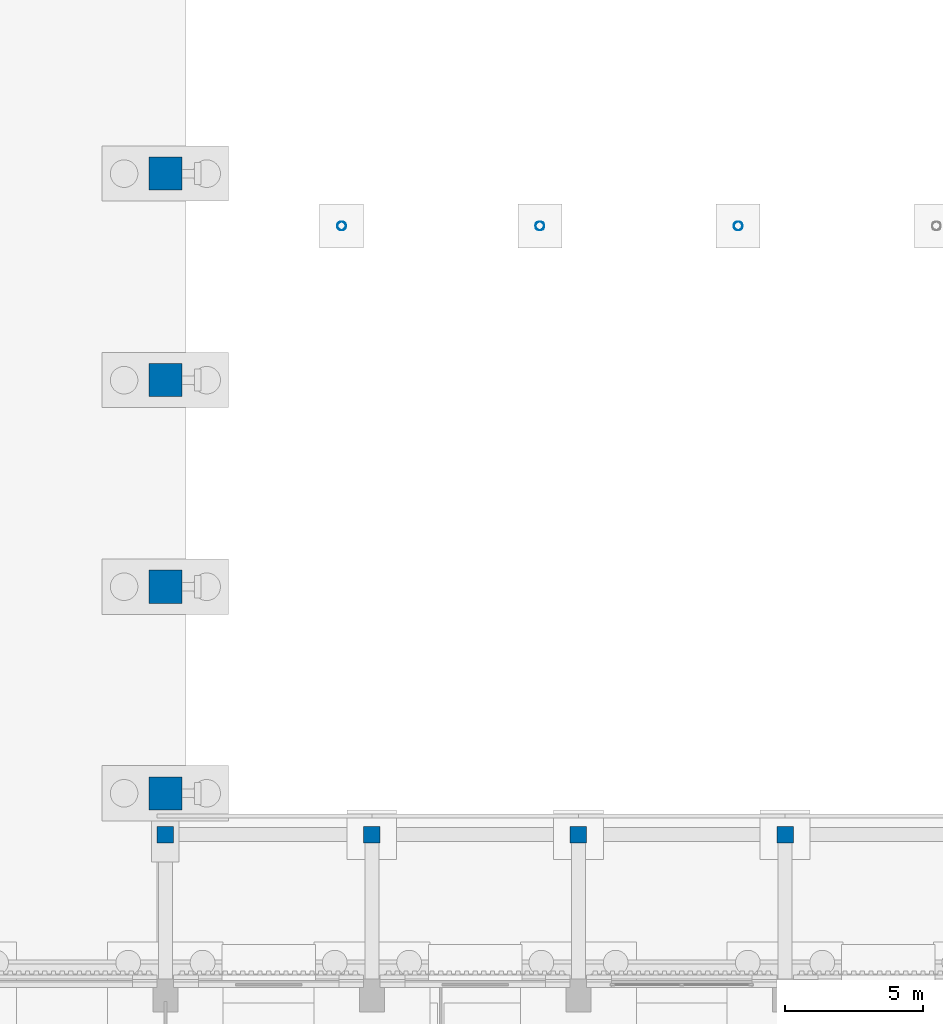
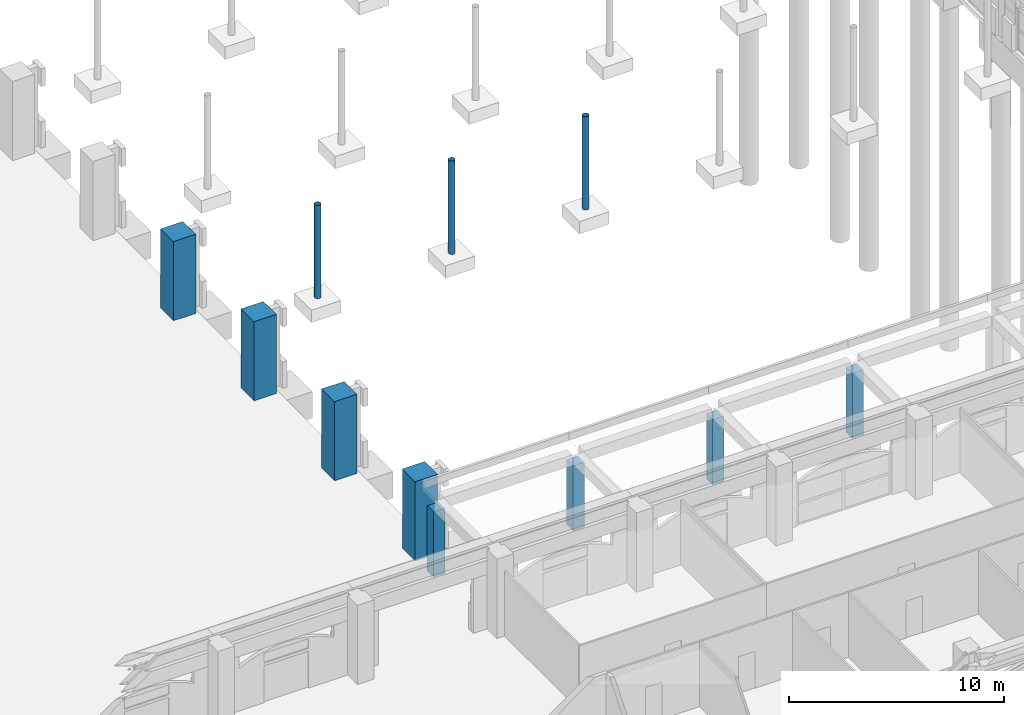
# One storey, part 12 of 99: 11 columns.
"""IFC4 building model written with IfcOpenShell, lengths in metres."""

import ifcopenshell
import ifcopenshell.guid

model = None  # the IFC model being written
_history = None  # IfcOwnerHistory: only IFC2X3 demands one
_inside = {}  # id of a spatial element -> (the spatial element, [elements in it])
_under = {}  # id of a project, library or spatial element -> (it, [spatial elements below it])
_declared = {}  # id of a project -> (the project, [libraries it declares])
_typed = {}  # id of a type object -> (the type object, [elements of that type])
_made_of = {}  # id of a material, layer set ... -> (it, [elements and type objects made of it])


def new_model(schema):
    """Start an empty IFC model of exactly this schema.

    Asked for "IFC4X3", IfcOpenShell would pick the latest addendum, in which some entities
    have other attributes; the version numbers below select the first issue.
    IFC2X3 requires an IfcOwnerHistory on every rooted entity: one is made here for all.
    """
    global model, _history
    if schema == "IFC4X3":
        model = ifcopenshell.file(schema_version=(4, 3, 0, 0))
    else:
        model = ifcopenshell.file(schema=schema)
    _inside.clear()
    _under.clear()
    _declared.clear()
    _typed.clear()
    _made_of.clear()
    _history = None
    if model.schema == "IFC2X3":
        org = make("IfcOrganization", Name="unknown")
        user = make(
            "IfcPersonAndOrganization",
            ThePerson=make("IfcPerson", FamilyName="unknown"),
            TheOrganization=org,
        )
        app = make(
            "IfcApplication",
            ApplicationDeveloper=org,
            Version="unknown",
            ApplicationFullName="unknown",
            ApplicationIdentifier="unknown",
        )
        _history = make(
            "IfcOwnerHistory",
            OwningUser=user,
            OwningApplication=app,
            ChangeAction="ADDED",
            CreationDate=0,
        )
    return model


def make(cls, **values):
    """One entity of the class cls with the attributes given. An attribute that is None is left unset."""
    return model.create_entity(
        cls, **{name: value for name, value in values.items() if value is not None}
    )


def rooted(cls, **values):
    """An entity with a GlobalId (a new one), such as an element, a storey or a relation."""
    return make(cls, GlobalId=ifcopenshell.guid.new(), OwnerHistory=_history, **values)


def si_unit(unit_type, name, prefix=None):
    """IfcSIUnit, for example si_unit("LENGTHUNIT", "METRE", prefix="MILLI")."""
    return make("IfcSIUnit", UnitType=unit_type, Prefix=prefix, Name=name)


def assignment(units):
    """IfcUnitAssignment: the units of a project."""
    return None if units is None else make("IfcUnitAssignment", Units=units)


def point(xyz):
    """IfcCartesianPoint."""
    return None if xyz is None else make("IfcCartesianPoint", Coordinates=xyz)


def direction(xyz):
    """IfcDirection."""
    return None if xyz is None else make("IfcDirection", DirectionRatios=xyz)


def frame(location, z_axis=None, x_axis=None):
    """IfcAxis2Placement3D, a coordinate frame: its origin and axes. An axis left out is left unset."""
    return make(
        "IfcAxis2Placement3D",
        Location=point(location),
        Axis=direction(z_axis),
        RefDirection=direction(x_axis),
    )


def frame_2d(location, x_axis=None):
    """IfcAxis2Placement2D, a coordinate frame in the plane: its origin and x axis."""
    return make(
        "IfcAxis2Placement2D", Location=point(location), RefDirection=direction(x_axis)
    )


def origin():
    """The frame at (0, 0, 0) with its axes left unset."""
    return frame((0.0, 0.0, 0.0))


def origin_2d():
    """The frame at (0, 0) in the plane with its x axis left unset."""
    return frame_2d((0.0, 0.0))


def place(relative_to, where):
    """IfcLocalPlacement: puts the frame where relative to a parent placement (None: the world)."""
    return make(
        "IfcLocalPlacement", PlacementRelTo=relative_to, RelativePlacement=where
    )


def context(
    kind, dimensions, precision=None, world=None, true_north=None, identifier=None
):
    """IfcGeometricRepresentationContext, for example the 3D "Model" context."""
    return make(
        "IfcGeometricRepresentationContext",
        ContextIdentifier=identifier,
        ContextType=kind,
        CoordinateSpaceDimension=dimensions,
        Precision=precision,
        WorldCoordinateSystem=world,
        TrueNorth=true_north,
    )


def subcontext(parent, identifier, kind, view, scale=None):
    """IfcGeometricRepresentationSubContext, for example "Body" below "Model"."""
    return make(
        "IfcGeometricRepresentationSubContext",
        ContextIdentifier=identifier,
        ContextType=kind,
        ParentContext=parent,
        TargetScale=scale,
        TargetView=view,
    )


def project(units=None, contexts=None):
    """IfcProject with its units and contexts."""
    return rooted(
        "IfcProject",
        Name="project",
        RepresentationContexts=contexts,
        UnitsInContext=assignment(units),
    )


def spatial(cls, under=None, at=None, **own):
    """A site, building, storey or space (cls), placed at a placement, below another one or the project."""
    s = rooted(cls, ObjectPlacement=at, **own)
    if under is not None:
        _under.setdefault(under.id(), (under, []))[1].append(s)
    return s


def profile(cls, at=None, kind="AREA", **sizes):
    """A parametric profile (cls). Its sizes go by their IFC names, for example OverallWidth=200.0."""
    return make(cls, ProfileType=kind, Position=at, **sizes)


def rectangle(**sizes):
    """IfcRectangleProfileDef."""
    return profile("IfcRectangleProfileDef", **sizes)


def hollow_circle(**sizes):
    """IfcCircleHollowProfileDef."""
    return profile("IfcCircleHollowProfileDef", **sizes)


def extrude(swept, where, along, depth):
    """IfcExtrudedAreaSolid: the profile swept, set in the frame where, extruded along a direction by depth."""
    return make(
        "IfcExtrudedAreaSolid",
        SweptArea=swept,
        Position=where,
        ExtrudedDirection=direction(along),
        Depth=depth,
    )


def shape(context_of_items, identifier, shape_type, items):
    """IfcShapeRepresentation: the items that make up one representation, for example the "Body"."""
    return make(
        "IfcShapeRepresentation",
        ContextOfItems=context_of_items,
        RepresentationIdentifier=identifier,
        RepresentationType=shape_type,
        Items=items,
    )


def material(Name=None, Category=None):
    """IfcMaterial."""
    return make("IfcMaterial", Name=Name, Category=Category)


def material_profile(
    of_material, cross_section, Name=None, Category=None, Priority=None
):
    """IfcMaterialProfile: a cross section and its material."""
    return make(
        "IfcMaterialProfile",
        Name=Name,
        Material=of_material,
        Profile=cross_section,
        Priority=Priority,
        Category=Category,
    )


def profile_set(profiles, Name=None, composite=None):
    """IfcMaterialProfileSet."""
    return make(
        "IfcMaterialProfileSet",
        Name=Name,
        MaterialProfiles=profiles,
        CompositeProfile=composite,
    )


def made_of(thing, what):
    """Note that an element or type object is made of a material, layer set ...; save() writes the relation."""
    if what is not None:
        _made_of.setdefault(what.id(), (what, []))[1].append(thing)
    return thing


def type_object(cls, material=None, **own):
    """A type object (cls), such as IfcWallType, which elements share."""
    return made_of(rooted(cls, **own), material)


def element(
    cls,
    number,
    at=None,
    inside=None,
    cuts=None,
    type_object=None,
    material=None,
    context=None,
    identifier="Body",
    shape_type=None,
    held_by="IfcProductDefinitionShape",
    body=None,
    shapes=None,
    **own,
):
    """One element of the class cls, such as IfcWall. Its Tag is "e" and its number.

    at: its placement. inside: the storey or other place that contains it. cuts: it is an
    opening in that element (IfcRelVoidsElement). A single representation is given by context,
    identifier, shape_type and body (its items); several are given by shapes. held_by: the class
    of the entity that holds the representations. save() writes the other relations.
    """
    e = rooted(cls, Tag="e%d" % number, ObjectPlacement=at, **own)
    if body is not None:
        shapes = [shape(context, identifier, shape_type, body)]
    if shapes is not None:
        e.Representation = make(held_by, Representations=shapes)
    if inside is not None:
        _inside.setdefault(inside.id(), (inside, []))[1].append(e)
    if cuts is not None:
        rooted(
            "IfcRelVoidsElement", RelatingBuildingElement=cuts, RelatedOpeningElement=e
        )
    if type_object is not None:
        _typed.setdefault(type_object.id(), (type_object, []))[1].append(e)
    return made_of(e, material)


def aggregate(whole, parts):
    """IfcRelAggregates: a whole, such as a stair, and the parts it consists of."""
    return rooted("IfcRelAggregates", RelatingObject=whole, RelatedObjects=parts)


def save(model, path):
    """Write the relations noted so far, then the file.

    IfcRelAggregates (storeys below a building ...), IfcRelContainedInSpatialStructure (elements
    in a storey), IfcRelDefinesByType, IfcRelAssociatesMaterial and IfcRelDeclares: one each for
    every whole, place, type object, material and project.
    """
    for whole, parts in _under.values():
        aggregate(whole, parts)
    for where, things in _inside.values():
        rooted(
            "IfcRelContainedInSpatialStructure",
            RelatedElements=things,
            RelatingStructure=where,
        )
    for kind, things in _typed.values():
        rooted("IfcRelDefinesByType", RelatedObjects=things, RelatingType=kind)
    for what, things in _made_of.values():
        rooted("IfcRelAssociatesMaterial", RelatedObjects=things, RelatingMaterial=what)
    for by, libraries in _declared.values():
        rooted("IfcRelDeclares", RelatingContext=by, RelatedDefinitions=libraries)
    model.write(path)


model = new_model("IFC4")

# Units and contexts
model_context = context("Model", 3, precision=1e-05, world=origin(), true_north=direction((0.0, 1.0)))
body_context = subcontext(model_context, "Body", "Model", "MODEL_VIEW")
ifc_project = project(units=[si_unit("LENGTHUNIT", "METRE"), si_unit("AREAUNIT", "SQUARE_METRE"), si_unit("VOLUMEUNIT", "CUBIC_METRE"), si_unit("PLANEANGLEUNIT", "RADIAN"), si_unit("MASSUNIT", "GRAM", prefix="KILO")], contexts=[model_context])

# Site, building, storey
site_placement = place(None, origin())
site = spatial("IfcSite", under=ifc_project, at=site_placement, CompositionType="ELEMENT")
building_placement = place(site_placement, origin())
building = spatial("IfcBuilding", under=site, at=building_placement, Name="Cour d'Honneur Mobility Palace", CompositionType="ELEMENT")
storey_placement = place(building_placement, origin())
storey = spatial("IfcBuildingStorey", under=building, at=storey_placement, Name="L00", CompositionType="ELEMENT", Elevation=0.0)

# Columns
ifc_material_1 = material(Name="Concrete C50", Category="concrete")
ifc_material_profile_1 = material_profile(ifc_material_1, rectangle(XDim=0.60009765625, YDim=0.60009765625, at=origin_2d()), Name="Arcade column 600x600")
ifc_profile_set_1 = profile_set([ifc_material_profile_1], Name="Concrete C50")
column_type_1 = type_object("IfcColumnType", Name="Arcade column 600x600", PredefinedType="COLUMN", material=ifc_profile_set_1)
for number, where, z_axis, x_axis, name in (
    (1, (99.89990234375, 68.39990234375, -0.300048828125), (0.0, 0.0, 1.0), (1.0, 0.0, 0.0), "Arcade column AC-E1"),
    (2, (107.39990234375, 68.39990234375, -0.300048828125), (0.0, 0.0, 1.0), (1.0, 0.0, 0.0), "Arcade column AC-E2"),
    (3, (114.89990234375, 68.39990234375, -0.300048828125), (0.0, 0.0, 1.0), (1.0, 0.0, 0.0), "Arcade column AC-E3"),
    (4, (122.39990234375, 68.39990234375, -0.300048828125), (0.0, 0.0, 1.0), (1.0, 0.0, 0.0), "Arcade column AC-E4"),
):
    element("IfcColumn", number, at=place(storey_placement, frame(where, z_axis=z_axis, x_axis=x_axis)), inside=storey, type_object=column_type_1, Name=name, PredefinedType="COLUMN", context=body_context, shape_type="SweptSolid", body=[
        extrude(rectangle(XDim=0.60009765625, YDim=0.60009765625, at=origin_2d()), origin(), (0.0, 0.0, 1.0), 3.699951171875),
    ])
ifc_material_2 = material(Name="Steel S355", Category="steel")
ifc_material_profile_2 = material_profile(ifc_material_2, hollow_circle(Radius=0.161865234375, WallThickness=0.010009765625, at=origin_2d()), Name="CHS 323.9x10")
ifc_profile_set_2 = profile_set([ifc_material_profile_2], Name="Steel S355")
column_type_2 = type_object("IfcColumnType", Name="Canopy column CHS 323.9x10", PredefinedType="COLUMN", material=ifc_profile_set_2)
for number, where, z_axis, x_axis, name in (
    (5, (106.300048828125, 90.5, -0.300048828125), (0.0, 0.0, 1.0), (1.0, 0.0, 0.0), "Canopy column FCC-E1.1"),
    (6, (113.5, 90.5, -0.300048828125), (0.0, 0.0, 1.0), (1.0, 0.0, 0.0), "Canopy column FCC-E1.2"),
    (7, (120.699951171875, 90.5, -0.300048828125), (0.0, 0.0, 1.0), (1.0, 0.0, 0.0), "Canopy column FCC-E1.3"),
):
    element("IfcColumn", number, at=place(storey_placement, frame(where, z_axis=z_axis, x_axis=x_axis)), inside=storey, type_object=column_type_2, Name=name, PredefinedType="COLUMN", context=body_context, shape_type="SweptSolid", body=[
        extrude(hollow_circle(Radius=0.161865234375, WallThickness=0.010009765625, at=origin_2d()), origin(), (0.0, 0.0, 1.0), 5.300048828125),
    ])
ifc_material_3 = material(Name="Concrete C50", Category="concrete")
ifc_material_profile_3 = material_profile(ifc_material_3, rectangle(XDim=1.199951171875, YDim=1.199951171875, at=origin_2d()), Name="Hall pier 1200x1200")
ifc_profile_set_3 = profile_set([ifc_material_profile_3], Name="Concrete C50")
column_type_3 = type_object("IfcColumnType", Name="Hall pier 1200x1200", PredefinedType="COLUMN", material=ifc_profile_set_3)
for number, where, z_axis, x_axis, name in (
    (8, (99.89990234375, 69.89990234375, 0.0), (0.0, 0.0, 1.0), (1.0, 0.0, 0.0), "Hall pier HP-E2"),
    (9, (99.89990234375, 77.39990234375, 0.0), (0.0, 0.0, 1.0), (1.0, 0.0, 0.0), "Hall pier HP-E3"),
    (10, (99.89990234375, 84.89990234375, 0.0), (0.0, 0.0, 1.0), (1.0, 0.0, 0.0), "Hall pier HP-E4"),
    (11, (99.89990234375, 92.39990234375, 0.0), (0.0, 0.0, 1.0), (1.0, 0.0, 0.0), "Hall pier HP-E5"),
):
    element("IfcColumn", number, at=place(storey_placement, frame(where, z_axis=z_axis, x_axis=x_axis)), inside=storey, type_object=column_type_3, Name=name, PredefinedType="COLUMN", context=body_context, shape_type="SweptSolid", body=[
        extrude(rectangle(XDim=1.199951171875, YDim=1.199951171875, at=origin_2d()), origin(), (0.0, 0.0, 1.0), 4.5),
    ])

save(model, "model.ifc")
